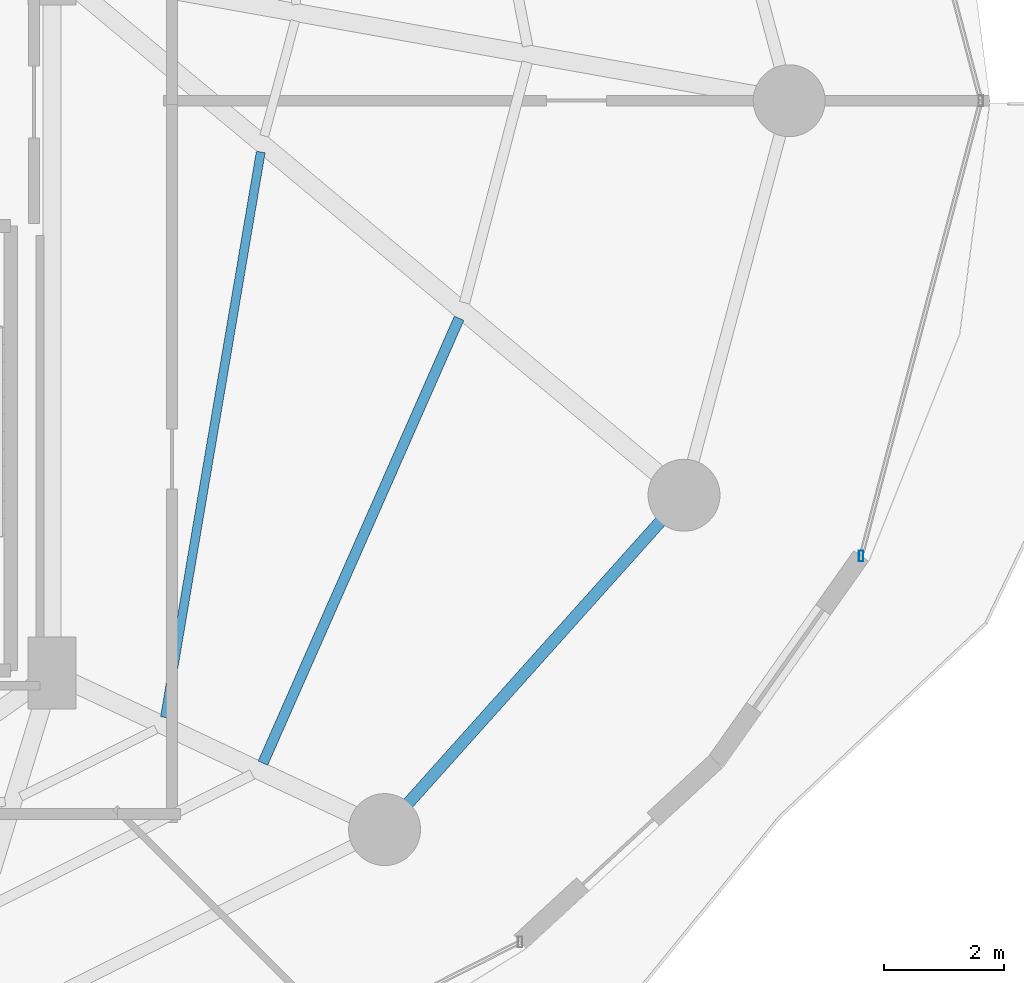
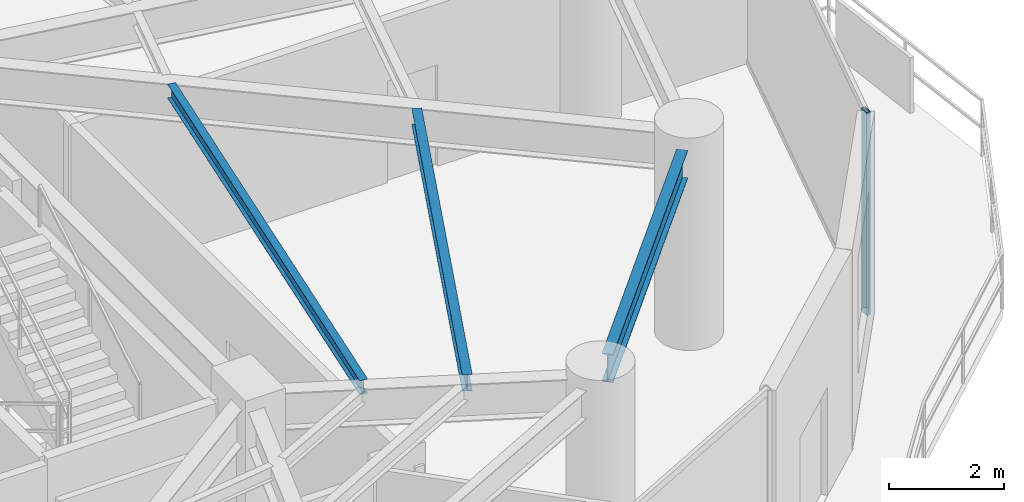
# One storey, part 12 of 27: 3 beams, 1 member, 1 element without a shape of its own.
"""IFC4 building model written with IfcOpenShell, lengths in metres."""

from ifc_helpers import new_model, si_unit, direction, frame, origin, origin_2d, place, context, subcontext, project, spatial, hollow_rectangle, i_section, extrude, material, material_profile, profile_set, type_object, element, aggregate, save


model = new_model("IFC4")

# Units and contexts
model_context = context("Model", 3, precision=1e-05, world=origin(), true_north=direction((0.0, 1.0)))
body_context = subcontext(model_context, "Body", "Model", "MODEL_VIEW")
ifc_project = project(units=[si_unit("LENGTHUNIT", "METRE"), si_unit("AREAUNIT", "SQUARE_METRE"), si_unit("VOLUMEUNIT", "CUBIC_METRE"), si_unit("PLANEANGLEUNIT", "RADIAN"), si_unit("MASSUNIT", "GRAM", prefix="KILO")], contexts=[model_context])

# Site, building, storey
site_placement = place(None, origin())
site = spatial("IfcSite", under=ifc_project, at=site_placement, CompositionType="ELEMENT")
building_placement = place(site_placement, origin())
building = spatial("IfcBuilding", under=site, at=building_placement, Name="Vorneva Point Tower", CompositionType="ELEMENT")
storey_placement = place(building_placement, frame((0.0, 0.0, 74.300048828125)))
storey = spatial("IfcBuildingStorey", under=building, at=storey_placement, Name="L19", CompositionType="ELEMENT", Elevation=74.300048828125)

# Beams
ifc_material_1 = material(Name="Steel S355", Category="steel")
ifc_material_profile_1 = material_profile(ifc_material_1, i_section(OverallWidth=0.14892578125, OverallDepth=0.298095703125, WebThickness=0.005615234375, FlangeThickness=0.008056640625, at=origin_2d()), Name="30B1")
ifc_profile_set_1 = profile_set([ifc_material_profile_1], Name="Steel S355")
beam_type_1 = type_object("IfcBeamType", Name="BM-JST-30B1", PredefinedType="JOIST", material=ifc_profile_set_1)
beam_1_placement = place(storey_placement, frame((50.634765625, 15.709716796875, 4.091064453125), z_axis=(0.167013227715, 0.985954655026, 0.0), x_axis=(-0.985954655026, 0.167013227715, 0.0)))
element("IfcBeam", 1, at=beam_1_placement, inside=storey, type_object=beam_type_1, Name="L19 Secondary Floor Beam 2.15", PredefinedType="JOIST", context=body_context, shape_type="SweptSolid", body=[
    extrude(i_section(OverallWidth=0.14892578125, OverallDepth=0.298095703125, WebThickness=0.005615234375, FlangeThickness=0.008056640625, at=origin_2d()), origin(), (0.0, 0.0, 1.0), 9.569091796875),
])
ifc_material_profile_2 = material_profile(ifc_material_1, i_section(OverallWidth=0.174072265625, OverallDepth=0.345947265625, WebThickness=0.006103515625, FlangeThickness=0.009033203125, at=origin_2d()), Name="35B1")
ifc_profile_set_2 = profile_set([ifc_material_profile_2], Name="Steel S355")
beam_type_2 = type_object("IfcBeamType", Name="BM-SEC-35B1", PredefinedType="BEAM", material=ifc_profile_set_2)
beam_2_placement = place(storey_placement, frame((52.2685546875, 14.946044921875, 4.06689453125), z_axis=(0.403571314422, 0.914948192072, 0.0), x_axis=(-0.914948192072, 0.403571314422, 0.0)))
element("IfcBeam", 2, at=beam_2_placement, inside=storey, type_object=beam_type_2, Name="L19 Secondary Floor Beam 1.15", PredefinedType="BEAM", context=body_context, shape_type="SweptSolid", body=[
    extrude(i_section(OverallWidth=0.174072265625, OverallDepth=0.345947265625, WebThickness=0.006103515625, FlangeThickness=0.009033203125, at=origin_2d()), origin(), (0.0, 0.0, 1.0), 8.1142578125),
])
ifc_material_profile_3 = material_profile(ifc_material_1, i_section(OverallWidth=0.198974609375, OverallDepth=0.595947265625, WebThickness=0.010009765625, FlangeThickness=0.014892578125, at=origin_2d()), Name="60B1")
ifc_profile_set_3 = profile_set([ifc_material_profile_3], Name="Steel S355")
beam_type_3 = type_object("IfcBeamType", Name="BM-SPN-60B1", PredefinedType="SPANDREL", material=ifc_profile_set_3)
beam_3_placement = place(storey_placement, frame((54.68896484375, 14.273681640625, 3.94189453125), z_axis=(0.667116603584, 0.744953312109, 0.0), x_axis=(-0.744953312109, 0.667116603584, 0.0)))
element("IfcBeam", 3, at=beam_3_placement, inside=storey, type_object=beam_type_3, Name="L19 Perimeter Spandrel Ring Beam 15", PredefinedType="SPANDREL", context=body_context, shape_type="SweptSolid", body=[
    extrude(i_section(OverallWidth=0.198974609375, OverallDepth=0.595947265625, WebThickness=0.010009765625, FlangeThickness=0.014892578125, at=origin_2d()), origin(), (0.0, 0.0, 1.0), 6.3203125),
])

# Curtain wall, member
ifc_material_2 = material(Name="Pale anodised aluminium", Category="aluminium")
curtain_wall_type = type_object("IfcCurtainWallType", Name="CW-SKY-SYS", PredefinedType="NOTDEFINED", material=ifc_material_2)
curtain_wall_placement = place(storey_placement, origin())
curtain_wall = element("IfcCurtainWall", 4, at=curtain_wall_placement, inside=storey, type_object=curtain_wall_type, Name="L19 Unitised Curtain Wall CW-L19-R01", PredefinedType="NOTDEFINED")
ifc_material_profile_4 = material_profile(ifc_material_2, hollow_rectangle(XDim=0.074951171875, YDim=0.179931640625, WallThickness=0.00390625, at=origin_2d()), Name="AL-MUL 180x75x4")
ifc_profile_set_4 = profile_set([ifc_material_profile_4], Name="Pale anodised aluminium")
member_type = type_object("IfcMemberType", Name="CW-MUL-180", PredefinedType="MULLION", material=ifc_profile_set_4)
member_placement = place(storey_placement, frame((62.251708984375, 18.40380859375, -0.0400390625), z_axis=(0.0, 0.0, 1.0), x_axis=(1.0, 0.0, 0.0)))
member = element("IfcMember", 5, at=member_placement, type_object=member_type, Name="CW-L19-R01 Mullion 01", PredefinedType="MULLION", context=body_context, shape_type="SweptSolid", body=[
    extrude(hollow_rectangle(XDim=0.074951171875, YDim=0.179931640625, WallThickness=0.00390625, at=origin_2d()), origin(), (0.0, 0.0, 1.0), 4.31005859375),
])
aggregate(curtain_wall, [member])

save(model, "model.ifc")
